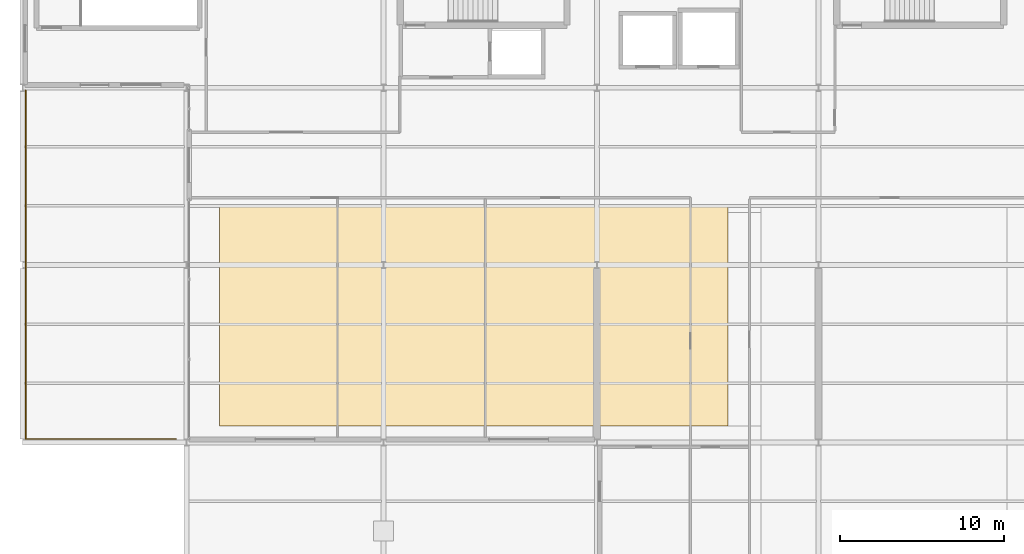
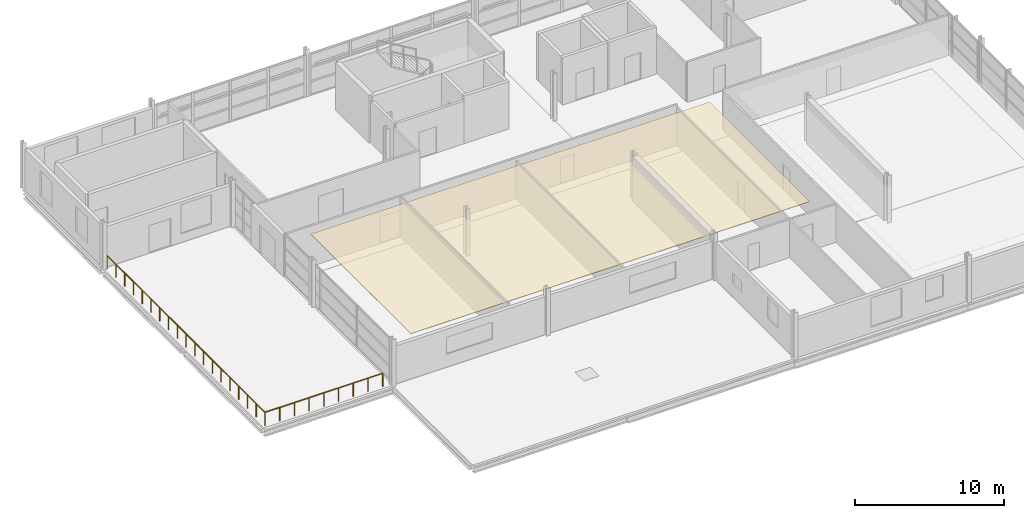
# One storey, part 30 of 33: 1 covering, 1 railing.
"""IFC4 building model written with IfcOpenShell, lengths in metres."""

from ifc_helpers import new_model, si_unit, direction, frame, origin, origin_2d, place, context, subcontext, project, spatial, polyline, circle, outline, extrude, material, layer, layer_set, type_object, element, save


model = new_model("IFC4")

# Units and contexts
model_context = context("Model", 3, precision=1e-05, world=origin(), true_north=direction((0.0, 1.0)))
body_context = subcontext(model_context, "Body", "Model", "MODEL_VIEW")
ifc_project = project(units=[si_unit("LENGTHUNIT", "METRE"), si_unit("AREAUNIT", "SQUARE_METRE"), si_unit("VOLUMEUNIT", "CUBIC_METRE"), si_unit("PLANEANGLEUNIT", "RADIAN"), si_unit("MASSUNIT", "GRAM", prefix="KILO")], contexts=[model_context])

# Site, building, storey
site_placement = place(None, origin())
site = spatial("IfcSite", under=ifc_project, at=site_placement, CompositionType="ELEMENT")
building_placement = place(site_placement, origin())
building = spatial("IfcBuilding", under=site, at=building_placement, Name="Tamarisk Ironworks Central Station", CompositionType="ELEMENT")
storey_placement = place(building_placement, frame((0.0, 0.0, 21.300048828125)))
storey = spatial("IfcBuildingStorey", under=building, at=storey_placement, Name="L04", CompositionType="ELEMENT", Elevation=21.300048828125)

# Covering
ifc_material_1 = material(Name="Anodized aluminium alloy 6063-T6", Category="aluminium")
ifc_layer = layer(ifc_material_1, 0.044921875)
ifc_layer_set = layer_set([ifc_layer], Name="Anodized aluminium alloy 6063-T6")
covering_type = type_object("IfcCoveringType", Name="COV-CEIL-MT", PredefinedType="CEILING", material=ifc_layer_set)
covering_placement = place(storey_placement, frame((0.0, 0.0, 2.89990234375)))
element("IfcCovering", 1, at=covering_placement, inside=storey, type_object=covering_type, Name="L04 suspended acoustic baffle ceiling 010", PredefinedType="CEILING", context=body_context, shape_type="SweptSolid", body=[
    extrude(outline(polyline([(130.0, 91.0), (161.0, 91.0), (161.0, 104.5), (130.0, 104.5), (130.0, 91.0)])), origin(), (0.0, 0.0, 1.0), 0.045166015625),
])

# Railing
ifc_material_2 = material(Name="Brushed stainless steel AISI 316", Category="steel")
railing_type = type_object("IfcRailingType", Name="RL-GUARD-EXT", PredefinedType="BALUSTRADE", material=ifc_material_2)
railing_placement = place(storey_placement, frame((127.35009765625, 90.199951171875, 0.0)))
element("IfcRailing", 2, at=railing_placement, inside=storey, type_object=railing_type, Name="L04 landscaped terrace perimeter guard", PredefinedType="BALUSTRADE", context=body_context, shape_type="SweptSolid", body=[
    extrude(circle(Radius=0.02392578125, at=origin_2d()), frame((0.0, 0.0, 1.09619140625), z_axis=(-1.0, 0.0, 0.0), x_axis=(0.0, -1.0, 0.0)), (0.0, 0.0, 1.0), 9.150146484375),
    extrude(circle(Radius=0.02392578125, at=origin_2d()), frame((-9.150146484375, 0.0, 1.09619140625), z_axis=(0.0, 1.0, 0.0), x_axis=(-1.0, 0.0, 0.0)), (0.0, 0.0, 1.0), 21.25),
    extrude(circle(Radius=0.02099609375, at=origin_2d()), origin(), (0.0, 0.0, 1.0), 1.072021484375),
    extrude(circle(Radius=0.02099609375, at=origin_2d()), frame((-1.143798828125, 0.0, 0.0)), (0.0, 0.0, 1.0), 1.072021484375),
    extrude(circle(Radius=0.02099609375, at=origin_2d()), frame((-2.28759765625, 0.0, 0.0)), (0.0, 0.0, 1.0), 1.072021484375),
    extrude(circle(Radius=0.02099609375, at=origin_2d()), frame((-3.431396484375, 0.0, 0.0)), (0.0, 0.0, 1.0), 1.072021484375),
    extrude(circle(Radius=0.02099609375, at=origin_2d()), frame((-4.5751953125, 0.0, 0.0)), (0.0, 0.0, 1.0), 1.072021484375),
    extrude(circle(Radius=0.02099609375, at=origin_2d()), frame((-5.71875, 0.0, 0.0)), (0.0, 0.0, 1.0), 1.072021484375),
    extrude(circle(Radius=0.02099609375, at=origin_2d()), frame((-6.862548828125, 0.0, 0.0)), (0.0, 0.0, 1.0), 1.072021484375),
    extrude(circle(Radius=0.02099609375, at=origin_2d()), frame((-8.00634765625, 0.0, 0.0)), (0.0, 0.0, 1.0), 1.072021484375),
    extrude(circle(Radius=0.02099609375, at=origin_2d()), frame((-9.150146484375, 0.0, 0.0)), (0.0, 0.0, 1.0), 1.072021484375),
    extrude(circle(Radius=0.02099609375, at=origin_2d()), frame((-9.150146484375, 1.1806640625, 0.0)), (0.0, 0.0, 1.0), 1.072021484375),
    extrude(circle(Radius=0.02099609375, at=origin_2d()), frame((-9.150146484375, 2.361083984375, 0.0)), (0.0, 0.0, 1.0), 1.072021484375),
    extrude(circle(Radius=0.02099609375, at=origin_2d()), frame((-9.150146484375, 3.541748046875, 0.0)), (0.0, 0.0, 1.0), 1.072021484375),
    extrude(circle(Radius=0.02099609375, at=origin_2d()), frame((-9.150146484375, 4.72216796875, 0.0)), (0.0, 0.0, 1.0), 1.072021484375),
    extrude(circle(Radius=0.02099609375, at=origin_2d()), frame((-9.150146484375, 5.90283203125, 0.0)), (0.0, 0.0, 1.0), 1.072021484375),
    extrude(circle(Radius=0.02099609375, at=origin_2d()), frame((-9.150146484375, 7.083251953125, 0.0)), (0.0, 0.0, 1.0), 1.072021484375),
    extrude(circle(Radius=0.02099609375, at=origin_2d()), frame((-9.150146484375, 8.263916015625, 0.0)), (0.0, 0.0, 1.0), 1.072021484375),
    extrude(circle(Radius=0.02099609375, at=origin_2d()), frame((-9.150146484375, 9.4443359375, 0.0)), (0.0, 0.0, 1.0), 1.072021484375),
    extrude(circle(Radius=0.02099609375, at=origin_2d()), frame((-9.150146484375, 10.625, 0.0)), (0.0, 0.0, 1.0), 1.072021484375),
    extrude(circle(Radius=0.02099609375, at=origin_2d()), frame((-9.150146484375, 11.8056640625, 0.0)), (0.0, 0.0, 1.0), 1.072021484375),
    extrude(circle(Radius=0.02099609375, at=origin_2d()), frame((-9.150146484375, 12.986083984375, 0.0)), (0.0, 0.0, 1.0), 1.072021484375),
    extrude(circle(Radius=0.02099609375, at=origin_2d()), frame((-9.150146484375, 14.166748046875, 0.0)), (0.0, 0.0, 1.0), 1.072021484375),
    extrude(circle(Radius=0.02099609375, at=origin_2d()), frame((-9.150146484375, 15.34716796875, 0.0)), (0.0, 0.0, 1.0), 1.072021484375),
    extrude(circle(Radius=0.02099609375, at=origin_2d()), frame((-9.150146484375, 16.52783203125, 0.0)), (0.0, 0.0, 1.0), 1.072021484375),
    extrude(circle(Radius=0.02099609375, at=origin_2d()), frame((-9.150146484375, 17.708251953125, 0.0)), (0.0, 0.0, 1.0), 1.072021484375),
    extrude(circle(Radius=0.02099609375, at=origin_2d()), frame((-9.150146484375, 18.888916015625, 0.0)), (0.0, 0.0, 1.0), 1.072021484375),
    extrude(circle(Radius=0.02099609375, at=origin_2d()), frame((-9.150146484375, 20.0693359375, 0.0)), (0.0, 0.0, 1.0), 1.072021484375),
    extrude(circle(Radius=0.02099609375, at=origin_2d()), frame((-9.150146484375, 21.25, 0.0)), (0.0, 0.0, 1.0), 1.072021484375),
])

save(model, "model.ifc")
